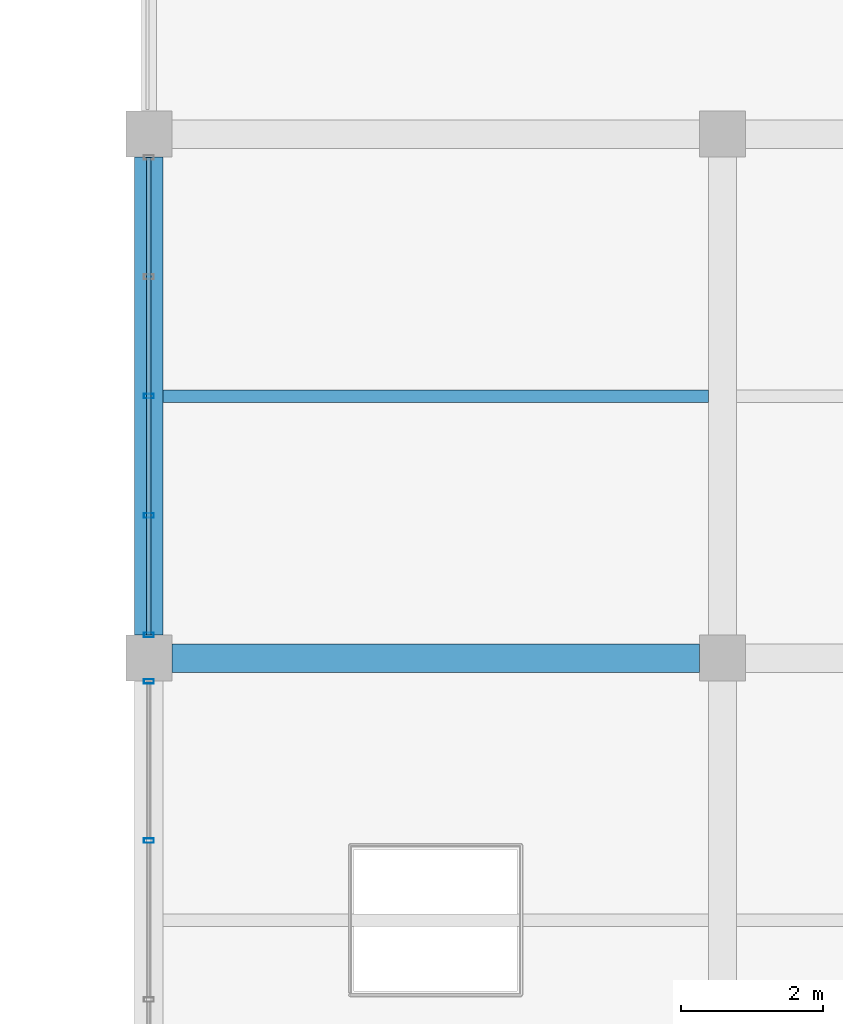
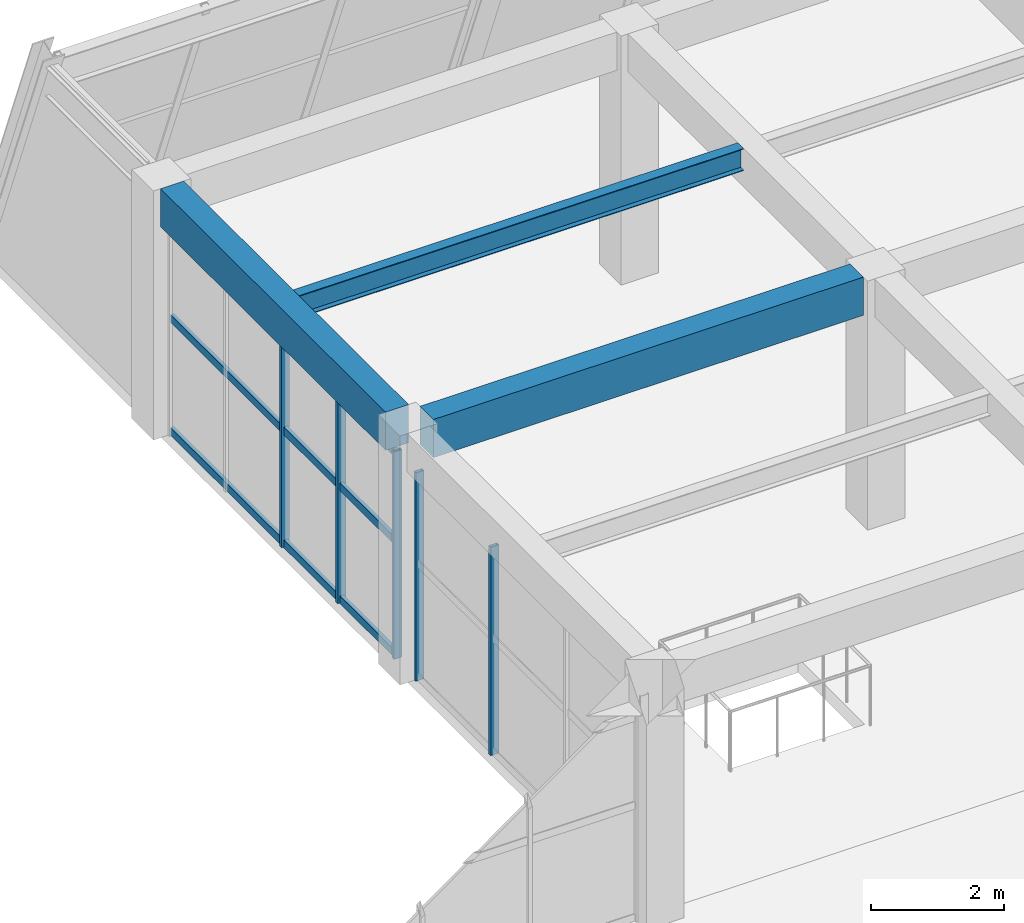
# One storey, part 124 of 161: 8 members, 3 beams, 2 elements without a shape of their own.
"""IFC4 building model written with IfcOpenShell, lengths in metres."""

from ifc_helpers import new_model, si_unit, direction, frame, origin, origin_2d, place, context, subcontext, project, spatial, rectangle, hollow_rectangle, i_section, extrude, material, material_profile, profile_set, type_object, element, aggregate, save


model = new_model("IFC4")

# Units and contexts
model_context = context("Model", 3, precision=1e-05, world=origin(), true_north=direction((0.0, 1.0)))
body_context = subcontext(model_context, "Body", "Model", "MODEL_VIEW")
ifc_project = project(units=[si_unit("LENGTHUNIT", "METRE"), si_unit("AREAUNIT", "SQUARE_METRE"), si_unit("VOLUMEUNIT", "CUBIC_METRE"), si_unit("PLANEANGLEUNIT", "RADIAN"), si_unit("MASSUNIT", "GRAM", prefix="KILO")], contexts=[model_context])

# Site, building, storey
site_placement = place(None, origin())
site = spatial("IfcSite", under=ifc_project, at=site_placement, CompositionType="ELEMENT")
building_placement = place(site_placement, origin())
building = spatial("IfcBuilding", under=site, at=building_placement, Name="Cimatlan Art Gallery", CompositionType="ELEMENT")
storey_placement = place(building_placement, frame((0.0, 0.0, 5.39990234375)))
storey = spatial("IfcBuildingStorey", under=building, at=storey_placement, Name="L01", CompositionType="ELEMENT", Elevation=5.39990234375)

# Beams
ifc_material_1 = material(Name="Concrete C40/50", Category="concrete")
ifc_material_profile_1 = material_profile(ifc_material_1, rectangle(XDim=0.39990234375, YDim=0.699951171875, at=origin_2d()), Name="RC400X700")
ifc_profile_set_1 = profile_set([ifc_material_profile_1], Name="Concrete C40/50")
beam_type_1 = type_object("IfcBeamType", Name="BM-RC-400X700", PredefinedType="BEAM", material=ifc_profile_set_1)
beam_1_placement = place(storey_placement, frame((147.800048828125, 68.625, 4.210205078125), z_axis=(0.0, 1.0, 0.0), x_axis=(-1.0, 0.0, 0.0)))
element("IfcBeam", 1, at=beam_1_placement, inside=storey, type_object=beam_type_1, Name="BM-Y-L01-18-09", PredefinedType="BEAM", context=body_context, shape_type="SweptSolid", body=[
    extrude(rectangle(XDim=0.39990234375, YDim=0.699951171875, at=origin_2d()), origin(), (0.0, 0.0, 1.0), 6.75),
])
beam_2_placement = place(storey_placement, frame((148.125, 68.300048828125, 4.210205078125), z_axis=(1.0, 0.0, 0.0), x_axis=(0.0, 1.0, 0.0)))
element("IfcBeam", 2, at=beam_2_placement, inside=storey, type_object=beam_type_1, Name="BM-X-L01-18-09", PredefinedType="BEAM", context=body_context, shape_type="SweptSolid", body=[
    extrude(rectangle(XDim=0.39990234375, YDim=0.699951171875, at=origin_2d()), origin(), (0.0, 0.0, 1.0), 7.449951171875),
])
ifc_material_2 = material(Name="Steel ASTM A992 Grade 50", Category="steel")
ifc_material_profile_2 = material_profile(ifc_material_2, i_section(OverallWidth=0.177978515625, OverallDepth=0.406982421875, WebThickness=0.0078125, FlangeThickness=0.0126953125, at=origin_2d()), Name="W16X40")
ifc_profile_set_2 = profile_set([ifc_material_profile_2], Name="Steel ASTM A992 Grade 50")
beam_type_2 = type_object("IfcBeamType", Name="BM-STL-W16X40", PredefinedType="JOIST", material=ifc_profile_set_2)
beam_3_placement = place(storey_placement, frame((148.0, 72.0, 4.356689453125), z_axis=(1.0, 0.0, 0.0), x_axis=(0.0, 1.0, 0.0)))
element("IfcBeam", 3, at=beam_3_placement, inside=storey, type_object=beam_type_2, Name="JST-L01-18-09", PredefinedType="JOIST", context=body_context, shape_type="SweptSolid", body=[
    extrude(i_section(OverallWidth=0.177978515625, OverallDepth=0.406982421875, WebThickness=0.0078125, FlangeThickness=0.0126953125, at=origin_2d()), origin(), (0.0, 0.0, 1.0), 7.699951171875),
])

# Curtain wall, members
ifc_material_3 = material(Name="Anodised bronze unitised curtain wall")
curtain_wall_type_1 = type_object("IfcCurtainWallType", Name="CW-V-06742X03815-B3", PredefinedType="NOTDEFINED", material=ifc_material_3)
curtain_wall_1_placement = place(storey_placement, origin())
curtain_wall_1 = element("IfcCurtainWall", 4, at=curtain_wall_1_placement, inside=storey, type_object=curtain_wall_type_1, Name="CW-L01-18-08-W", PredefinedType="NOTDEFINED")
ifc_material_4 = material(Name="Anodised bronze aluminium 6063-T6", Category="aluminium")
ifc_material_profile_3 = material_profile(ifc_material_4, hollow_rectangle(XDim=0.06494140625, YDim=0.139892578125, WallThickness=0.00390625, at=origin_2d()), Name="ALU65X140X4")
ifc_profile_set_3 = profile_set([ifc_material_profile_3], Name="Anodised bronze aluminium 6063-T6")
member_type_1 = type_object("IfcMemberType", Name="CW-MUL-140", PredefinedType="MULLION", material=ifc_profile_set_3)
member_1_placement = place(storey_placement, frame((147.800048828125, 65.7236328125, 0.0), z_axis=(0.0, 0.0, 1.0), x_axis=(0.0, 1.0, 0.0)))
member_1 = element("IfcMember", 5, at=member_1_placement, type_object=member_type_1, Name="CW-L01-18-08-W-M3", PredefinedType="MULLION", context=body_context, shape_type="SweptSolid", body=[
    extrude(hollow_rectangle(XDim=0.06494140625, YDim=0.139892578125, WallThickness=0.00390625, at=origin_2d()), origin(), (0.0, 0.0, 1.0), 3.815185546875),
])
member_2_placement = place(storey_placement, frame((147.800048828125, 67.970947265625, 0.0), z_axis=(0.0, 0.0, 1.0), x_axis=(0.0, 1.0, 0.0)))
member_2 = element("IfcMember", 6, at=member_2_placement, type_object=member_type_1, Name="CW-L01-18-08-W-M4", PredefinedType="MULLION", context=body_context, shape_type="SweptSolid", body=[
    extrude(hollow_rectangle(XDim=0.06494140625, YDim=0.139892578125, WallThickness=0.00390625, at=origin_2d()), origin(), (0.0, 0.0, 1.0), 3.815185546875),
])
aggregate(curtain_wall_1, [member_1, member_2])

curtain_wall_type_2 = type_object("IfcCurtainWallType", Name="CW-V-06742X03800-B4", PredefinedType="NOTDEFINED", material=ifc_material_3)
curtain_wall_2_placement = place(storey_placement, origin())
curtain_wall_2 = element("IfcCurtainWall", 7, at=curtain_wall_2_placement, inside=storey, type_object=curtain_wall_type_2, Name="CW-L01-18-09-W", PredefinedType="NOTDEFINED")
member_3_placement = place(storey_placement, frame((147.800048828125, 68.62890625, 0.0), z_axis=(0.0, 0.0, 1.0), x_axis=(0.0, 1.0, 0.0)))
member_3 = element("IfcMember", 8, at=member_3_placement, type_object=member_type_1, Name="CW-L01-18-09-W-M1", PredefinedType="MULLION", context=body_context, shape_type="SweptSolid", body=[
    extrude(hollow_rectangle(XDim=0.06494140625, YDim=0.139892578125, WallThickness=0.00390625, at=origin_2d()), origin(), (0.0, 0.0, 1.0), 3.800048828125),
])
member_4_placement = place(storey_placement, frame((147.800048828125, 70.314453125, 0.0), z_axis=(0.0, 0.0, 1.0), x_axis=(0.0, 1.0, 0.0)))
member_4 = element("IfcMember", 9, at=member_4_placement, type_object=member_type_1, Name="CW-L01-18-09-W-M2", PredefinedType="MULLION", context=body_context, shape_type="SweptSolid", body=[
    extrude(hollow_rectangle(XDim=0.06494140625, YDim=0.139892578125, WallThickness=0.00390625, at=origin_2d()), origin(), (0.0, 0.0, 1.0), 3.800048828125),
])
member_5_placement = place(storey_placement, frame((147.800048828125, 72.0, 0.0), z_axis=(0.0, 0.0, 1.0), x_axis=(0.0, 1.0, 0.0)))
member_5 = element("IfcMember", 10, at=member_5_placement, type_object=member_type_1, Name="CW-L01-18-09-W-M3", PredefinedType="MULLION", context=body_context, shape_type="SweptSolid", body=[
    extrude(hollow_rectangle(XDim=0.06494140625, YDim=0.139892578125, WallThickness=0.00390625, at=origin_2d()), origin(), (0.0, 0.0, 1.0), 3.800048828125),
])
ifc_material_profile_4 = material_profile(ifc_material_4, hollow_rectangle(XDim=0.06494140625, YDim=0.139892578125, WallThickness=0.00390625, at=origin_2d()), Name="ALU65X140X4")
ifc_profile_set_4 = profile_set([ifc_material_profile_4], Name="Anodised bronze aluminium 6063-T6")
member_type_2 = type_object("IfcMemberType", Name="CW-TRN-140", PredefinedType="USERDEFINED", material=ifc_profile_set_4)
member_6_placement = place(storey_placement, frame((147.800048828125, 68.62890625, 0.06005859375), z_axis=(0.0, 1.0, 0.0), x_axis=(-1.0, 0.0, 0.0)))
member_6 = element("IfcMember", 11, at=member_6_placement, type_object=member_type_2, Name="CW-L01-18-09-W-T1", ObjectType="TRANSOM", PredefinedType="USERDEFINED", context=body_context, shape_type="SweptSolid", body=[
    extrude(hollow_rectangle(XDim=0.06494140625, YDim=0.139892578125, WallThickness=0.00390625, at=origin_2d()), origin(), (0.0, 0.0, 1.0), 6.7421875),
])
member_7_placement = place(storey_placement, frame((147.800048828125, 68.62890625, 2.128173828125), z_axis=(0.0, 1.0, 0.0), x_axis=(-1.0, 0.0, 0.0)))
member_7 = element("IfcMember", 12, at=member_7_placement, type_object=member_type_2, Name="CW-L01-18-09-W-T2", ObjectType="TRANSOM", PredefinedType="USERDEFINED", context=body_context, shape_type="SweptSolid", body=[
    extrude(hollow_rectangle(XDim=0.06494140625, YDim=0.139892578125, WallThickness=0.00390625, at=origin_2d()), origin(), (0.0, 0.0, 1.0), 6.7421875),
])
member_8_placement = place(storey_placement, frame((147.800048828125, 68.62890625, 3.739990234375), z_axis=(0.0, 1.0, 0.0), x_axis=(-1.0, 0.0, 0.0)))
member_8 = element("IfcMember", 13, at=member_8_placement, type_object=member_type_2, Name="CW-L01-18-09-W-T3", ObjectType="TRANSOM", PredefinedType="USERDEFINED", context=body_context, shape_type="SweptSolid", body=[
    extrude(hollow_rectangle(XDim=0.06494140625, YDim=0.139892578125, WallThickness=0.00390625, at=origin_2d()), origin(), (0.0, 0.0, 1.0), 6.7421875),
])
aggregate(curtain_wall_2, [member_3, member_4, member_5, member_6, member_7, member_8])

save(model, "model.ifc")
